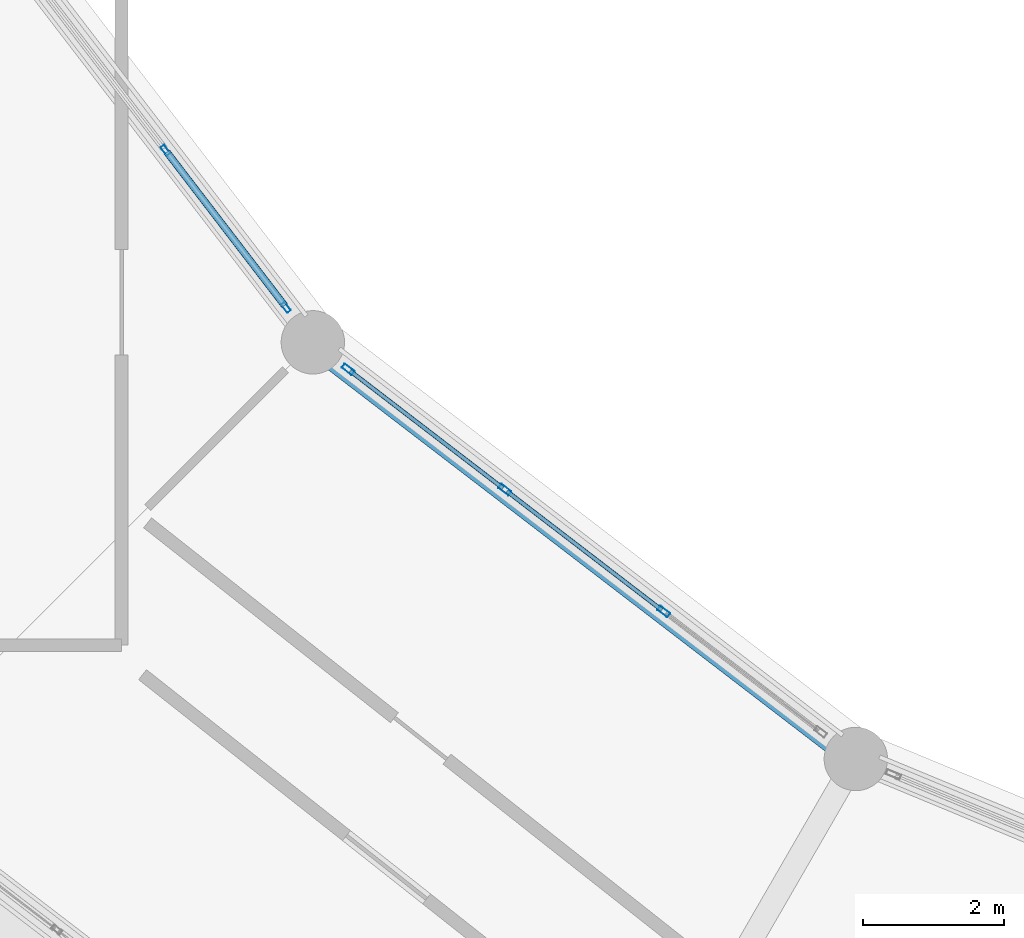
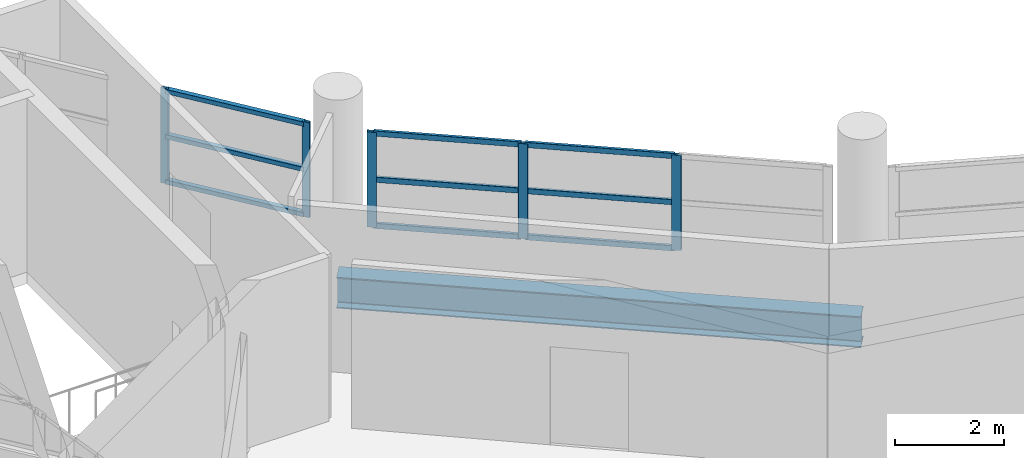
# One storey, part 8 of 53: 14 members, 1 beam, 2 elements without a shape of their own.
"""IFC4 building model written with IfcOpenShell, lengths in metres."""

import ifcopenshell
import ifcopenshell.guid

model = None  # the IFC model being written
_history = None  # IfcOwnerHistory: only IFC2X3 demands one
_inside = {}  # id of a spatial element -> (the spatial element, [elements in it])
_under = {}  # id of a project, library or spatial element -> (it, [spatial elements below it])
_declared = {}  # id of a project -> (the project, [libraries it declares])
_typed = {}  # id of a type object -> (the type object, [elements of that type])
_made_of = {}  # id of a material, layer set ... -> (it, [elements and type objects made of it])


def new_model(schema):
    """Start an empty IFC model of exactly this schema.

    Asked for "IFC4X3", IfcOpenShell would pick the latest addendum, in which some entities
    have other attributes; the version numbers below select the first issue.
    IFC2X3 requires an IfcOwnerHistory on every rooted entity: one is made here for all.
    """
    global model, _history
    if schema == "IFC4X3":
        model = ifcopenshell.file(schema_version=(4, 3, 0, 0))
    else:
        model = ifcopenshell.file(schema=schema)
    _inside.clear()
    _under.clear()
    _declared.clear()
    _typed.clear()
    _made_of.clear()
    _history = None
    if model.schema == "IFC2X3":
        org = make("IfcOrganization", Name="unknown")
        user = make(
            "IfcPersonAndOrganization",
            ThePerson=make("IfcPerson", FamilyName="unknown"),
            TheOrganization=org,
        )
        app = make(
            "IfcApplication",
            ApplicationDeveloper=org,
            Version="unknown",
            ApplicationFullName="unknown",
            ApplicationIdentifier="unknown",
        )
        _history = make(
            "IfcOwnerHistory",
            OwningUser=user,
            OwningApplication=app,
            ChangeAction="ADDED",
            CreationDate=0,
        )
    return model


def make(cls, **values):
    """One entity of the class cls with the attributes given. An attribute that is None is left unset."""
    return model.create_entity(
        cls, **{name: value for name, value in values.items() if value is not None}
    )


def rooted(cls, **values):
    """An entity with a GlobalId (a new one), such as an element, a storey or a relation."""
    return make(cls, GlobalId=ifcopenshell.guid.new(), OwnerHistory=_history, **values)


def si_unit(unit_type, name, prefix=None):
    """IfcSIUnit, for example si_unit("LENGTHUNIT", "METRE", prefix="MILLI")."""
    return make("IfcSIUnit", UnitType=unit_type, Prefix=prefix, Name=name)


def assignment(units):
    """IfcUnitAssignment: the units of a project."""
    return None if units is None else make("IfcUnitAssignment", Units=units)


def point(xyz):
    """IfcCartesianPoint."""
    return None if xyz is None else make("IfcCartesianPoint", Coordinates=xyz)


def direction(xyz):
    """IfcDirection."""
    return None if xyz is None else make("IfcDirection", DirectionRatios=xyz)


def frame(location, z_axis=None, x_axis=None):
    """IfcAxis2Placement3D, a coordinate frame: its origin and axes. An axis left out is left unset."""
    return make(
        "IfcAxis2Placement3D",
        Location=point(location),
        Axis=direction(z_axis),
        RefDirection=direction(x_axis),
    )


def frame_2d(location, x_axis=None):
    """IfcAxis2Placement2D, a coordinate frame in the plane: its origin and x axis."""
    return make(
        "IfcAxis2Placement2D", Location=point(location), RefDirection=direction(x_axis)
    )


def origin():
    """The frame at (0, 0, 0) with its axes left unset."""
    return frame((0.0, 0.0, 0.0))


def origin_2d():
    """The frame at (0, 0) in the plane with its x axis left unset."""
    return frame_2d((0.0, 0.0))


def place(relative_to, where):
    """IfcLocalPlacement: puts the frame where relative to a parent placement (None: the world)."""
    return make(
        "IfcLocalPlacement", PlacementRelTo=relative_to, RelativePlacement=where
    )


def context(
    kind, dimensions, precision=None, world=None, true_north=None, identifier=None
):
    """IfcGeometricRepresentationContext, for example the 3D "Model" context."""
    return make(
        "IfcGeometricRepresentationContext",
        ContextIdentifier=identifier,
        ContextType=kind,
        CoordinateSpaceDimension=dimensions,
        Precision=precision,
        WorldCoordinateSystem=world,
        TrueNorth=true_north,
    )


def subcontext(parent, identifier, kind, view, scale=None):
    """IfcGeometricRepresentationSubContext, for example "Body" below "Model"."""
    return make(
        "IfcGeometricRepresentationSubContext",
        ContextIdentifier=identifier,
        ContextType=kind,
        ParentContext=parent,
        TargetScale=scale,
        TargetView=view,
    )


def project(units=None, contexts=None):
    """IfcProject with its units and contexts."""
    return rooted(
        "IfcProject",
        Name="project",
        RepresentationContexts=contexts,
        UnitsInContext=assignment(units),
    )


def spatial(cls, under=None, at=None, **own):
    """A site, building, storey or space (cls), placed at a placement, below another one or the project."""
    s = rooted(cls, ObjectPlacement=at, **own)
    if under is not None:
        _under.setdefault(under.id(), (under, []))[1].append(s)
    return s


def profile(cls, at=None, kind="AREA", **sizes):
    """A parametric profile (cls). Its sizes go by their IFC names, for example OverallWidth=200.0."""
    return make(cls, ProfileType=kind, Position=at, **sizes)


def hollow_rectangle(**sizes):
    """IfcRectangleHollowProfileDef."""
    return profile("IfcRectangleHollowProfileDef", **sizes)


def i_section(**sizes):
    """IfcIShapeProfileDef."""
    return profile("IfcIShapeProfileDef", **sizes)


def extrude(swept, where, along, depth):
    """IfcExtrudedAreaSolid: the profile swept, set in the frame where, extruded along a direction by depth."""
    return make(
        "IfcExtrudedAreaSolid",
        SweptArea=swept,
        Position=where,
        ExtrudedDirection=direction(along),
        Depth=depth,
    )


def shape(context_of_items, identifier, shape_type, items):
    """IfcShapeRepresentation: the items that make up one representation, for example the "Body"."""
    return make(
        "IfcShapeRepresentation",
        ContextOfItems=context_of_items,
        RepresentationIdentifier=identifier,
        RepresentationType=shape_type,
        Items=items,
    )


def material(Name=None, Category=None):
    """IfcMaterial."""
    return make("IfcMaterial", Name=Name, Category=Category)


def layer(
    of_material, thickness, ventilated=None, Name=None, Category=None, Priority=None
):
    """IfcMaterialLayer: one layer of a wall or slab, of a material (None: an air gap)."""
    return make(
        "IfcMaterialLayer",
        Material=of_material,
        LayerThickness=thickness,
        IsVentilated=ventilated,
        Name=Name,
        Category=Category,
        Priority=Priority,
    )


def layer_set(layers, Name=None):
    """IfcMaterialLayerSet."""
    return make("IfcMaterialLayerSet", MaterialLayers=layers, LayerSetName=Name)


def material_profile(
    of_material, cross_section, Name=None, Category=None, Priority=None
):
    """IfcMaterialProfile: a cross section and its material."""
    return make(
        "IfcMaterialProfile",
        Name=Name,
        Material=of_material,
        Profile=cross_section,
        Priority=Priority,
        Category=Category,
    )


def profile_set(profiles, Name=None, composite=None):
    """IfcMaterialProfileSet."""
    return make(
        "IfcMaterialProfileSet",
        Name=Name,
        MaterialProfiles=profiles,
        CompositeProfile=composite,
    )


def made_of(thing, what):
    """Note that an element or type object is made of a material, layer set ...; save() writes the relation."""
    if what is not None:
        _made_of.setdefault(what.id(), (what, []))[1].append(thing)
    return thing


def type_object(cls, material=None, **own):
    """A type object (cls), such as IfcWallType, which elements share."""
    return made_of(rooted(cls, **own), material)


def element(
    cls,
    number,
    at=None,
    inside=None,
    cuts=None,
    type_object=None,
    material=None,
    context=None,
    identifier="Body",
    shape_type=None,
    held_by="IfcProductDefinitionShape",
    body=None,
    shapes=None,
    **own,
):
    """One element of the class cls, such as IfcWall. Its Tag is "e" and its number.

    at: its placement. inside: the storey or other place that contains it. cuts: it is an
    opening in that element (IfcRelVoidsElement). A single representation is given by context,
    identifier, shape_type and body (its items); several are given by shapes. held_by: the class
    of the entity that holds the representations. save() writes the other relations.
    """
    e = rooted(cls, Tag="e%d" % number, ObjectPlacement=at, **own)
    if body is not None:
        shapes = [shape(context, identifier, shape_type, body)]
    if shapes is not None:
        e.Representation = make(held_by, Representations=shapes)
    if inside is not None:
        _inside.setdefault(inside.id(), (inside, []))[1].append(e)
    if cuts is not None:
        rooted(
            "IfcRelVoidsElement", RelatingBuildingElement=cuts, RelatedOpeningElement=e
        )
    if type_object is not None:
        _typed.setdefault(type_object.id(), (type_object, []))[1].append(e)
    return made_of(e, material)


def aggregate(whole, parts):
    """IfcRelAggregates: a whole, such as a stair, and the parts it consists of."""
    return rooted("IfcRelAggregates", RelatingObject=whole, RelatedObjects=parts)


def save(model, path):
    """Write the relations noted so far, then the file.

    IfcRelAggregates (storeys below a building ...), IfcRelContainedInSpatialStructure (elements
    in a storey), IfcRelDefinesByType, IfcRelAssociatesMaterial and IfcRelDeclares: one each for
    every whole, place, type object, material and project.
    """
    for whole, parts in _under.values():
        aggregate(whole, parts)
    for where, things in _inside.values():
        rooted(
            "IfcRelContainedInSpatialStructure",
            RelatedElements=things,
            RelatingStructure=where,
        )
    for kind, things in _typed.values():
        rooted("IfcRelDefinesByType", RelatedObjects=things, RelatingType=kind)
    for what, things in _made_of.values():
        rooted("IfcRelAssociatesMaterial", RelatedObjects=things, RelatingMaterial=what)
    for by, libraries in _declared.values():
        rooted("IfcRelDeclares", RelatingContext=by, RelatedDefinitions=libraries)
    model.write(path)


model = new_model("IFC4")

# Units and contexts
model_context = context("Model", 3, precision=1e-05, world=origin(), true_north=direction((0.0, 1.0)))
body_context = subcontext(model_context, "Body", "Model", "MODEL_VIEW")
ifc_project = project(units=[si_unit("LENGTHUNIT", "METRE"), si_unit("AREAUNIT", "SQUARE_METRE"), si_unit("VOLUMEUNIT", "CUBIC_METRE"), si_unit("PLANEANGLEUNIT", "RADIAN"), si_unit("MASSUNIT", "GRAM", prefix="KILO")], contexts=[model_context])

# Site, building, storey
site_placement = place(None, origin())
site = spatial("IfcSite", under=ifc_project, at=site_placement, CompositionType="ELEMENT")
building_placement = place(site_placement, origin())
building = spatial("IfcBuilding", under=site, at=building_placement, Name="Vespera Passage Community Centre", CompositionType="ELEMENT")
storey_placement = place(building_placement, frame((0.0, 0.0, 20.39990234375)))
storey = spatial("IfcBuildingStorey", under=building, at=storey_placement, Name="L05", CompositionType="ELEMENT", Elevation=20.39990234375)

# Beam
ifc_material_1 = material(Name="Steel ASTM A992 Grade 50", Category="steel")
ifc_material_profile_1 = material_profile(ifc_material_1, i_section(OverallWidth=0.3544921875, OverallDepth=0.695556640625, WebThickness=0.015380859375, FlangeThickness=0.024658203125, FilletRadius=0.01513671875, at=origin_2d()), Name="W27X146")
ifc_profile_set_1 = profile_set([ifc_material_profile_1], Name="Steel ASTM A992 Grade 50")
beam_type = type_object("IfcBeamType", Name="BM-SP-W27X146E", PredefinedType="SPANDREL", material=ifc_profile_set_1)
beam_placement = place(storey_placement, frame((51.695556640625, 39.195556640625, -0.607666015625), z_axis=(0.793359869694, -0.60875291963, 0.0), x_axis=(0.60875291963, 0.793359869694, 0.0)))
element("IfcBeam", 1, at=beam_placement, inside=storey, type_object=beam_type, Name="V4 L05 Inner Spandrel 15", PredefinedType="SPANDREL", context=body_context, shape_type="SweptSolid", body=[
    extrude(i_section(OverallWidth=0.3544921875, OverallDepth=0.695556640625, WebThickness=0.015380859375, FlangeThickness=0.024658203125, FilletRadius=0.01513671875, at=origin_2d()), origin(), (0.0, 0.0, 1.0), 9.7109375),
])

# Curtain wall, members
ifc_material_2 = material(Name="Anodized aluminium 6063-T6", Category="aluminium")
ifc_layer_1 = layer(ifc_material_2, 0.159912109375)
ifc_layer_set_1 = layer_set([ifc_layer_1], Name="Anodized aluminium 6063-T6")
curtain_wall_type_1 = type_object("IfcCurtainWallType", Name="CW-78E", PredefinedType="NOTDEFINED", material=ifc_layer_set_1)
curtain_wall_1_placement = place(storey_placement, origin())
curtain_wall_1 = element("IfcCurtainWall", 2, at=curtain_wall_1_placement, inside=storey, type_object=curtain_wall_type_1, Name="V4 L05 Inner Court Curtain Wall 14", PredefinedType="NOTDEFINED")
ifc_material_3 = material(Name="Anodized aluminium 6063-T6", Category="aluminium")
ifc_material_profile_2 = material_profile(ifc_material_3, hollow_rectangle(XDim=0.06494140625, YDim=0.14990234375, WallThickness=0.00390625, InnerFilletRadius=0.001953125, OuterFilletRadius=0.00390625, at=origin_2d()), Name="ALU150X65X4")
ifc_profile_set_2 = profile_set([ifc_material_profile_2], Name="Anodized aluminium 6063-T6")
member_type_1 = type_object("IfcMemberType", Name="MB-CWM-150E", PredefinedType="MULLION", material=ifc_profile_set_2)
member_1_placement = place(storey_placement, frame((49.604736328125, 41.920654296875, 0.820068359375), z_axis=(0.0, 0.0, 1.0), x_axis=(0.793358205999, 0.608755087843, 0.0)))
member_1 = element("IfcMember", 3, at=member_1_placement, type_object=member_type_1, Name="CW-78E mullion 3", PredefinedType="MULLION", context=body_context, shape_type="SweptSolid", body=[
    extrude(hollow_rectangle(XDim=0.06494140625, YDim=0.14990234375, WallThickness=0.00390625, InnerFilletRadius=0.001953125, OuterFilletRadius=0.00390625, at=origin_2d()), origin(), (0.0, 0.0, 1.0), 2.129638671875),
])
member_2_placement = place(storey_placement, frame((51.314697265625, 39.69189453125, 0.820068359375), z_axis=(0.0, 0.0, 1.0), x_axis=(0.793358205999, 0.608755087843, 0.0)))
member_2 = element("IfcMember", 4, at=member_2_placement, type_object=member_type_1, Name="CW-78E mullion 4", PredefinedType="MULLION", context=body_context, shape_type="SweptSolid", body=[
    extrude(hollow_rectangle(XDim=0.06494140625, YDim=0.14990234375, WallThickness=0.00390625, InnerFilletRadius=0.001953125, OuterFilletRadius=0.00390625, at=origin_2d()), origin(), (0.0, 0.0, 1.0), 2.129638671875),
])

ifc_material_4 = material(Name="Anodized aluminium 6063-T6", Category="aluminium")
ifc_layer_2 = layer(ifc_material_4, 0.159912109375)
ifc_layer_set_2 = layer_set([ifc_layer_2], Name="Anodized aluminium 6063-T6")
curtain_wall_type_2 = type_object("IfcCurtainWallType", Name="CW-70E", PredefinedType="NOTDEFINED", material=ifc_layer_set_2)
curtain_wall_2_placement = place(storey_placement, origin())
curtain_wall_2 = element("IfcCurtainWall", 5, at=curtain_wall_2_placement, inside=storey, type_object=curtain_wall_type_2, Name="V4 L05 Inner Court Curtain Wall 15", PredefinedType="NOTDEFINED")
ifc_material_5 = material(Name="Anodized aluminium 6063-T6", Category="aluminium")
ifc_material_profile_3 = material_profile(ifc_material_5, hollow_rectangle(XDim=0.074951171875, YDim=0.179931640625, WallThickness=0.0048828125, InnerFilletRadius=0.00244140625, OuterFilletRadius=0.0048828125, at=origin_2d()), Name="ALU180X75X5")
ifc_profile_set_3 = profile_set([ifc_material_profile_3], Name="Anodized aluminium 6063-T6")
member_type_2 = type_object("IfcMemberType", Name="MB-CWM-180E", PredefinedType="MULLION", material=ifc_profile_set_3)
member_3_placement = place(storey_placement, frame((52.196044921875, 38.811767578125, 0.820068359375), z_axis=(0.0, 0.0, 1.0), x_axis=(0.608755087843, 0.793358205999, 0.0)))
member_3 = element("IfcMember", 6, at=member_3_placement, type_object=member_type_2, Name="CW-70E mullion 1", PredefinedType="MULLION", context=body_context, shape_type="SweptSolid", body=[
    extrude(hollow_rectangle(XDim=0.074951171875, YDim=0.179931640625, WallThickness=0.0048828125, InnerFilletRadius=0.00244140625, OuterFilletRadius=0.0048828125, at=origin_2d()), origin(), (0.0, 0.0, 1.0), 2.129638671875),
])
member_4_placement = place(storey_placement, frame((54.420654296875, 37.104736328125, 0.820068359375), z_axis=(0.0, 0.0, 1.0), x_axis=(0.608755087843, 0.793358205999, 0.0)))
member_4 = element("IfcMember", 7, at=member_4_placement, type_object=member_type_2, Name="CW-70E mullion 2", PredefinedType="MULLION", context=body_context, shape_type="SweptSolid", body=[
    extrude(hollow_rectangle(XDim=0.074951171875, YDim=0.179931640625, WallThickness=0.0048828125, InnerFilletRadius=0.00244140625, OuterFilletRadius=0.0048828125, at=origin_2d()), origin(), (0.0, 0.0, 1.0), 2.129638671875),
])
member_5_placement = place(storey_placement, frame((56.675048828125, 35.374755859375, 0.820068359375), z_axis=(0.0, 0.0, 1.0), x_axis=(0.608755087843, 0.793358205999, 0.0)))
member_5 = element("IfcMember", 8, at=member_5_placement, type_object=member_type_2, Name="CW-70E mullion 3", PredefinedType="MULLION", context=body_context, shape_type="SweptSolid", body=[
    extrude(hollow_rectangle(XDim=0.074951171875, YDim=0.179931640625, WallThickness=0.0048828125, InnerFilletRadius=0.00244140625, OuterFilletRadius=0.0048828125, at=origin_2d()), origin(), (0.0, 0.0, 1.0), 2.129638671875),
])

# Member
ifc_material_6 = material(Name="Anodized aluminium 6063-T6", Category="aluminium")
ifc_material_profile_4 = material_profile(ifc_material_6, hollow_rectangle(XDim=0.10009765625, YDim=0.10009765625, WallThickness=0.00390625, InnerFilletRadius=0.001953125, OuterFilletRadius=0.00390625, at=origin_2d()), Name="ALU100X100X4")
ifc_profile_set_4 = profile_set([ifc_material_profile_4], Name="Anodized aluminium 6063-T6")
member_type_3 = type_object("IfcMemberType", Name="MB-CWT-100E", PredefinedType="USERDEFINED", material=ifc_profile_set_4)
member_6_placement = place(storey_placement, frame((49.62451171875, 41.894775390625, 0.8701171875), z_axis=(0.608747162837, -0.793364286906, 0.0), x_axis=(0.793364286906, 0.608747162837, 0.0)))
member_6 = element("IfcMember", 9, at=member_6_placement, type_object=member_type_3, Name="CW-78E transom 3.1", ObjectType="TRANSOM", PredefinedType="USERDEFINED", context=body_context, shape_type="SweptSolid", body=[
    extrude(hollow_rectangle(XDim=0.10009765625, YDim=0.10009765625, WallThickness=0.00390625, InnerFilletRadius=0.001953125, OuterFilletRadius=0.00390625, at=origin_2d()), origin(), (0.0, 0.0, 1.0), 2.743896484375),
])

member_7_placement = place(storey_placement, frame((49.62451171875, 41.894775390625, 1.884765625), z_axis=(0.608747162837, -0.793364286906, 0.0), x_axis=(0.793364286906, 0.608747162837, 0.0)))
member_7 = element("IfcMember", 10, at=member_7_placement, type_object=member_type_3, Name="CW-78E transom 3.2", ObjectType="TRANSOM", PredefinedType="USERDEFINED", context=body_context, shape_type="SweptSolid", body=[
    extrude(hollow_rectangle(XDim=0.10009765625, YDim=0.10009765625, WallThickness=0.00390625, InnerFilletRadius=0.001953125, OuterFilletRadius=0.00390625, at=origin_2d()), origin(), (0.0, 0.0, 1.0), 2.743896484375),
])

member_8_placement = place(storey_placement, frame((49.62451171875, 41.894775390625, 2.899658203125), z_axis=(0.608747162837, -0.793364286906, 0.0), x_axis=(0.793364286906, 0.608747162837, 0.0)))
member_8 = element("IfcMember", 11, at=member_8_placement, type_object=member_type_3, Name="CW-78E transom 3.3", ObjectType="TRANSOM", PredefinedType="USERDEFINED", context=body_context, shape_type="SweptSolid", body=[
    extrude(hollow_rectangle(XDim=0.10009765625, YDim=0.10009765625, WallThickness=0.00390625, InnerFilletRadius=0.001953125, OuterFilletRadius=0.00390625, at=origin_2d()), origin(), (0.0, 0.0, 1.0), 2.743896484375),
])

aggregate(curtain_wall_1, [member_1, member_2, member_6, member_7, member_8])

ifc_material_7 = material(Name="Anodized aluminium 6063-T6", Category="aluminium")
ifc_material_profile_5 = material_profile(ifc_material_7, hollow_rectangle(XDim=0.06005859375, YDim=0.1201171875, WallThickness=0.00390625, InnerFilletRadius=0.001953125, OuterFilletRadius=0.00390625, at=origin_2d()), Name="ALU120X60X4")
ifc_profile_set_5 = profile_set([ifc_material_profile_5], Name="Anodized aluminium 6063-T6")
member_type_4 = type_object("IfcMemberType", Name="MB-CWT-120E", PredefinedType="USERDEFINED", material=ifc_profile_set_5)
member_9_placement = place(storey_placement, frame((52.2255859375, 38.788818359375, 0.85009765625), z_axis=(0.793371617318, -0.608737609183, 0.0), x_axis=(0.608737609183, 0.793371617318, 0.0)))
member_9 = element("IfcMember", 12, at=member_9_placement, type_object=member_type_4, Name="CW-70E transom 1.1", ObjectType="TRANSOM", PredefinedType="USERDEFINED", context=body_context, shape_type="SweptSolid", body=[
    extrude(hollow_rectangle(XDim=0.06005859375, YDim=0.1201171875, WallThickness=0.00390625, InnerFilletRadius=0.001953125, OuterFilletRadius=0.00390625, at=origin_2d()), origin(), (0.0, 0.0, 1.0), 2.729248046875),
])

member_10_placement = place(storey_placement, frame((52.2255859375, 38.788818359375, 1.884765625), z_axis=(0.793371617318, -0.608737609183, 0.0), x_axis=(0.608737609183, 0.793371617318, 0.0)))
member_10 = element("IfcMember", 13, at=member_10_placement, type_object=member_type_4, Name="CW-70E transom 1.2", ObjectType="TRANSOM", PredefinedType="USERDEFINED", context=body_context, shape_type="SweptSolid", body=[
    extrude(hollow_rectangle(XDim=0.06005859375, YDim=0.1201171875, WallThickness=0.00390625, InnerFilletRadius=0.001953125, OuterFilletRadius=0.00390625, at=origin_2d()), origin(), (0.0, 0.0, 1.0), 2.729248046875),
])

member_11_placement = place(storey_placement, frame((52.2255859375, 38.788818359375, 2.919677734375), z_axis=(0.793371617318, -0.608737609183, 0.0), x_axis=(0.608737609183, 0.793371617318, 0.0)))
member_11 = element("IfcMember", 14, at=member_11_placement, type_object=member_type_4, Name="CW-70E transom 1.3", ObjectType="TRANSOM", PredefinedType="USERDEFINED", context=body_context, shape_type="SweptSolid", body=[
    extrude(hollow_rectangle(XDim=0.06005859375, YDim=0.1201171875, WallThickness=0.00390625, InnerFilletRadius=0.001953125, OuterFilletRadius=0.00390625, at=origin_2d()), origin(), (0.0, 0.0, 1.0), 2.729248046875),
])

member_12_placement = place(storey_placement, frame((54.450439453125, 37.081787109375, 0.85009765625), z_axis=(0.793364831796, -0.608746452695, 0.0), x_axis=(0.608746452695, 0.793364831796, 0.0)))
member_12 = element("IfcMember", 15, at=member_12_placement, type_object=member_type_4, Name="CW-70E transom 2.1", ObjectType="TRANSOM", PredefinedType="USERDEFINED", context=body_context, shape_type="SweptSolid", body=[
    extrude(hollow_rectangle(XDim=0.06005859375, YDim=0.1201171875, WallThickness=0.00390625, InnerFilletRadius=0.001953125, OuterFilletRadius=0.00390625, at=origin_2d()), origin(), (0.0, 0.0, 1.0), 2.766357421875),
])

member_13_placement = place(storey_placement, frame((54.450439453125, 37.081787109375, 1.884765625), z_axis=(0.793364831796, -0.608746452695, 0.0), x_axis=(0.608746452695, 0.793364831796, 0.0)))
member_13 = element("IfcMember", 16, at=member_13_placement, type_object=member_type_4, Name="CW-70E transom 2.2", ObjectType="TRANSOM", PredefinedType="USERDEFINED", context=body_context, shape_type="SweptSolid", body=[
    extrude(hollow_rectangle(XDim=0.06005859375, YDim=0.1201171875, WallThickness=0.00390625, InnerFilletRadius=0.001953125, OuterFilletRadius=0.00390625, at=origin_2d()), origin(), (0.0, 0.0, 1.0), 2.766357421875),
])

member_14_placement = place(storey_placement, frame((54.450439453125, 37.081787109375, 2.919677734375), z_axis=(0.793364831796, -0.608746452695, 0.0), x_axis=(0.608746452695, 0.793364831796, 0.0)))
member_14 = element("IfcMember", 17, at=member_14_placement, type_object=member_type_4, Name="CW-70E transom 2.3", ObjectType="TRANSOM", PredefinedType="USERDEFINED", context=body_context, shape_type="SweptSolid", body=[
    extrude(hollow_rectangle(XDim=0.06005859375, YDim=0.1201171875, WallThickness=0.00390625, InnerFilletRadius=0.001953125, OuterFilletRadius=0.00390625, at=origin_2d()), origin(), (0.0, 0.0, 1.0), 2.766357421875),
])

aggregate(curtain_wall_2, [member_3, member_4, member_5, member_9, member_10, member_11, member_12, member_13, member_14])

save(model, "model.ifc")
